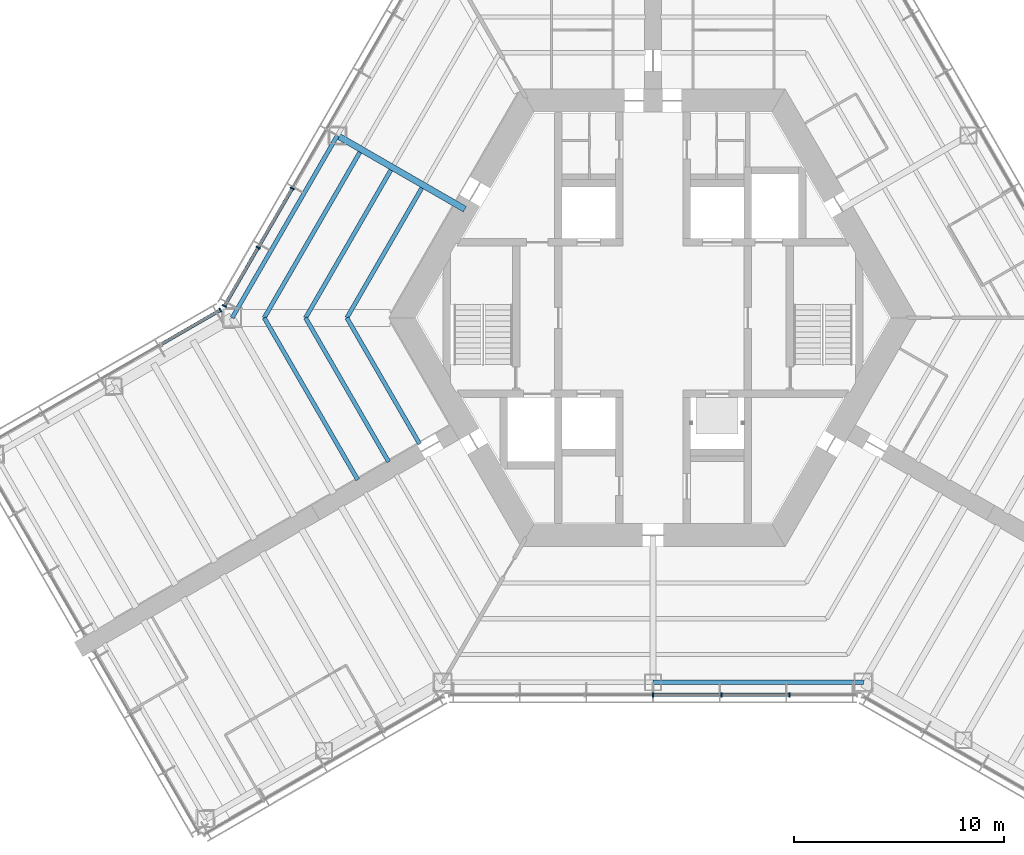
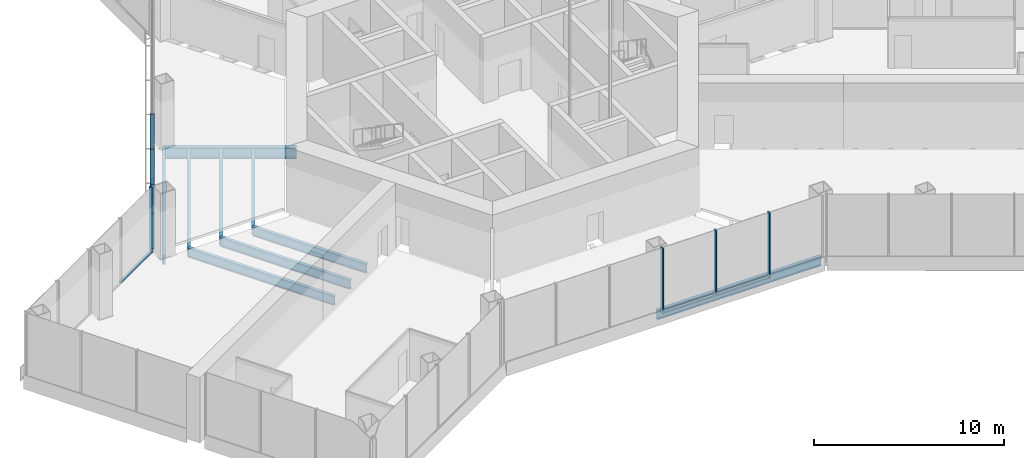
# One storey, part 3 of 18: 12 members, 9 beams, 3 elements without a shape of their own.
"""IFC4 building model written with IfcOpenShell, lengths in metres."""

from ifc_helpers import new_model, si_unit, direction, frame, origin, origin_2d, place, context, subcontext, project, spatial, rectangle, i_section, extrude, material, material_profile, profile_set, type_object, element, aggregate, save


model = new_model("IFC4")

# Units and contexts
model_context = context("Model", 3, precision=1e-05, world=origin(), true_north=direction((0.0, 1.0)))
body_context = subcontext(model_context, "Body", "Model", "MODEL_VIEW")
ifc_project = project(units=[si_unit("LENGTHUNIT", "METRE"), si_unit("AREAUNIT", "SQUARE_METRE"), si_unit("VOLUMEUNIT", "CUBIC_METRE"), si_unit("PLANEANGLEUNIT", "RADIAN"), si_unit("MASSUNIT", "GRAM", prefix="KILO")], contexts=[model_context])

# Site, building, storey
site_placement = place(None, origin())
site = spatial("IfcSite", under=ifc_project, at=site_placement, CompositionType="ELEMENT")
building_placement = place(site_placement, origin())
building = spatial("IfcBuilding", under=site, at=building_placement, Name="Kasaneha Research Tower", CompositionType="ELEMENT")
storey_placement = place(building_placement, frame((0.0, 0.0, 57.0)))
storey = spatial("IfcBuildingStorey", under=building, at=storey_placement, Name="L14", CompositionType="ELEMENT", Elevation=57.0)

# Beams
ifc_material_1 = material(Name="Steel SN490B", Category="steel")
ifc_material_profile_1 = material_profile(ifc_material_1, i_section(OverallWidth=0.199951171875, OverallDepth=0.60009765625, WebThickness=0.010986328125, FlangeThickness=0.01708984375, FilletRadius=0.012939453125, at=origin_2d()), Name="H-600x200x11x17")
ifc_profile_set_1 = profile_set([ifc_material_profile_1], Name="Steel SN490B")
beam_type_1 = type_object("IfcBeamType", Name="B1-4 secondary beam H-600x200x11x17", PredefinedType="JOIST", material=ifc_profile_set_1)
beam_1_placement = place(storey_placement, frame((-14.54931640625, 0.0, -0.469970703125), z_axis=(0.500016104636, 0.866016105569, 0.0), x_axis=(-0.866016105569, 0.500016104636, 0.0)))
element("IfcBeam", 1, at=beam_1_placement, inside=storey, type_object=beam_type_1, Name="Secondary beam RS150R1 L14", PredefinedType="JOIST", context=body_context, shape_type="SweptSolid", body=[
    extrude(i_section(OverallWidth=0.199951171875, OverallDepth=0.60009765625, WebThickness=0.010986328125, FlangeThickness=0.01708984375, FilletRadius=0.012939453125, at=origin_2d()), origin(), (0.0, 0.0, 1.0), 7.124755859375),
])
beam_2_placement = place(storey_placement, frame((-16.51220703125, 0.0, -0.469970703125), z_axis=(0.49999707157, 0.866027094508, 0.0), x_axis=(-0.866027094508, 0.49999707157, 0.0)))
element("IfcBeam", 2, at=beam_2_placement, inside=storey, type_object=beam_type_1, Name="Secondary beam RS150R2 L14", PredefinedType="JOIST", context=body_context, shape_type="SweptSolid", body=[
    extrude(i_section(OverallWidth=0.199951171875, OverallDepth=0.60009765625, WebThickness=0.010986328125, FlangeThickness=0.01708984375, FilletRadius=0.012939453125, at=origin_2d()), origin(), (0.0, 0.0, 1.0), 8.10595703125),
])
beam_3_placement = place(storey_placement, frame((-18.47509765625, 0.0, -0.469970703125), z_axis=(0.499990665392, 0.866030793056, 0.0), x_axis=(-0.866030793056, 0.499990665392, 0.0)))
element("IfcBeam", 3, at=beam_3_placement, inside=storey, type_object=beam_type_1, Name="Secondary beam RS150R3 L14", PredefinedType="JOIST", context=body_context, shape_type="SweptSolid", body=[
    extrude(i_section(OverallWidth=0.199951171875, OverallDepth=0.60009765625, WebThickness=0.010986328125, FlangeThickness=0.01708984375, FilletRadius=0.012939453125, at=origin_2d()), origin(), (0.0, 0.0, 1.0), 9.087646484375),
])
beam_4_placement = place(storey_placement, frame((-14.54931640625, 0.0, -0.469970703125), z_axis=(0.500014420154, -0.866017078145, 0.0), x_axis=(0.866017078145, 0.500014420154, 0.0)))
element("IfcBeam", 4, at=beam_4_placement, inside=storey, type_object=beam_type_1, Name="Secondary beam RS210L1 L14", PredefinedType="JOIST", context=body_context, shape_type="SweptSolid", body=[
    extrude(i_section(OverallWidth=0.199951171875, OverallDepth=0.60009765625, WebThickness=0.010986328125, FlangeThickness=0.01708984375, FilletRadius=0.012939453125, at=origin_2d()), origin(), (0.0, 0.0, 1.0), 6.924560546875),
])
beam_5_placement = place(storey_placement, frame((-16.51220703125, 0.0, -0.469970703125), z_axis=(0.500004902938, -0.866022573054, 0.0), x_axis=(0.866022573054, 0.500004902938, 0.0)))
element("IfcBeam", 5, at=beam_5_placement, inside=storey, type_object=beam_type_1, Name="Secondary beam RS210L2 L14", PredefinedType="JOIST", context=body_context, shape_type="SweptSolid", body=[
    extrude(i_section(OverallWidth=0.199951171875, OverallDepth=0.60009765625, WebThickness=0.010986328125, FlangeThickness=0.01708984375, FilletRadius=0.012939453125, at=origin_2d()), origin(), (0.0, 0.0, 1.0), 7.90625),
])
beam_6_placement = place(storey_placement, frame((-18.47509765625, 0.0, -0.469970703125), z_axis=(0.499988779951, -0.866031881586, 0.0), x_axis=(0.866031881586, 0.499988779951, 0.0)))
element("IfcBeam", 6, at=beam_6_placement, inside=storey, type_object=beam_type_1, Name="Secondary beam RS210L3 L14", PredefinedType="JOIST", context=body_context, shape_type="SweptSolid", body=[
    extrude(i_section(OverallWidth=0.199951171875, OverallDepth=0.60009765625, WebThickness=0.010986328125, FlangeThickness=0.01708984375, FilletRadius=0.012939453125, at=origin_2d()), origin(), (0.0, 0.0, 1.0), 8.887451171875),
])

# Curtain wall, members
ifc_material_2 = material(Name="Glass and aluminium", Category="aluminium")
curtain_wall_type = type_object("IfcCurtainWallType", Name="Sky lobby curtain wall", PredefinedType="USERDEFINED", material=ifc_material_2)
curtain_wall_1_placement = place(storey_placement, origin())
curtain_wall_1 = element("IfcCurtainWall", 7, at=curtain_wall_1_placement, inside=storey, type_object=curtain_wall_type, Name="CW-S L14 run 02a", ObjectType="UNITISED CURTAIN WALL", PredefinedType="USERDEFINED")
ifc_material_3 = material(Name="Aluminium 6063-T6", Category="aluminium")
ifc_material_profile_2 = material_profile(ifc_material_3, rectangle(XDim=0.070068359375, YDim=0.219970703125, at=origin_2d()), Name="CW-S mullion 70x220")
ifc_profile_set_2 = profile_set([ifc_material_profile_2], Name="Aluminium 6063-T6")
member_type_1 = type_object("IfcMemberType", Name="CW-S mullion", PredefinedType="MULLION", material=ifc_profile_set_2)
member_1_placement = place(storey_placement, frame((0.0, -17.92041015625, 0.0), z_axis=(0.0, 0.0, 1.0), x_axis=(1.0, 0.0, 0.0)))
member_1 = element("IfcMember", 8, at=member_1_placement, type_object=member_type_1, Name="CW-S mullion 4", PredefinedType="MULLION", context=body_context, shape_type="SweptSolid", body=[
    extrude(rectangle(XDim=0.070068359375, YDim=0.219970703125, at=origin_2d()), origin(), (0.0, 0.0, 1.0), 4.199951171875),
])
member_2_placement = place(storey_placement, frame((3.246337890625, -17.92041015625, 0.0), z_axis=(0.0, 0.0, 1.0), x_axis=(1.0, 0.0, 0.0)))
member_2 = element("IfcMember", 9, at=member_2_placement, type_object=member_type_1, Name="CW-S mullion 5", PredefinedType="MULLION", context=body_context, shape_type="SweptSolid", body=[
    extrude(rectangle(XDim=0.070068359375, YDim=0.219970703125, at=origin_2d()), origin(), (0.0, 0.0, 1.0), 4.199951171875),
])
member_3_placement = place(storey_placement, frame((6.492919921875, -17.92041015625, 0.0), z_axis=(0.0, 0.0, 1.0), x_axis=(1.0, 0.0, 0.0)))
member_3 = element("IfcMember", 10, at=member_3_placement, type_object=member_type_1, Name="CW-S mullion 6", PredefinedType="MULLION", context=body_context, shape_type="SweptSolid", body=[
    extrude(rectangle(XDim=0.070068359375, YDim=0.219970703125, at=origin_2d()), origin(), (0.0, 0.0, 1.0), 4.199951171875),
])

curtain_wall_2_placement = place(storey_placement, origin())
curtain_wall_2 = element("IfcCurtainWall", 11, at=curtain_wall_2_placement, inside=storey, type_object=curtain_wall_type, Name="CW-S L14 run 12a", ObjectType="UNITISED CURTAIN WALL", PredefinedType="USERDEFINED")
member_4_placement = place(storey_placement, frame((-17.142822265625, 6.148681640625, 0.0), z_axis=(0.0, 0.0, 1.0), x_axis=(-0.49999996188, -0.866025425793, 0.0)))
member_4 = element("IfcMember", 12, at=member_4_placement, type_object=member_type_1, Name="CW-S mullion 5", PredefinedType="MULLION", context=body_context, shape_type="SweptSolid", body=[
    extrude(rectangle(XDim=0.070068359375, YDim=0.219970703125, at=origin_2d()), origin(), (0.0, 0.0, 1.0), 4.199951171875),
])
member_5_placement = place(storey_placement, frame((-18.76611328125, 3.33740234375, 0.0), z_axis=(0.0, 0.0, 1.0), x_axis=(-0.49999996188, -0.866025425793, 0.0)))
member_5 = element("IfcMember", 13, at=member_5_placement, type_object=member_type_1, Name="CW-S mullion 6", PredefinedType="MULLION", context=body_context, shape_type="SweptSolid", body=[
    extrude(rectangle(XDim=0.070068359375, YDim=0.219970703125, at=origin_2d()), origin(), (0.0, 0.0, 1.0), 4.199951171875),
])
member_6_placement = place(storey_placement, frame((-20.371826171875, 0.55615234375, 0.0), z_axis=(0.0, 0.0, 1.0), x_axis=(-0.49999996188, -0.866025425793, 0.0)))
member_6 = element("IfcMember", 14, at=member_6_placement, type_object=member_type_1, Name="CW-S mullion 7", PredefinedType="MULLION", context=body_context, shape_type="SweptSolid", body=[
    extrude(rectangle(XDim=0.070068359375, YDim=0.219970703125, at=origin_2d()), origin(), (0.0, 0.0, 1.0), 4.199951171875),
])

# Curtain wall, member
curtain_wall_3_placement = place(storey_placement, origin())
curtain_wall_3 = element("IfcCurtainWall", 15, at=curtain_wall_3_placement, inside=storey, type_object=curtain_wall_type, Name="CW-S L14 run 13a", ObjectType="UNITISED CURTAIN WALL", PredefinedType="USERDEFINED")
member_7_placement = place(storey_placement, frame((-20.55615234375, 0.371826171875, 0.0), z_axis=(0.0, 0.0, 1.0), x_axis=(-0.866025411464, -0.499999986699, 0.0)))
member_7 = element("IfcMember", 16, at=member_7_placement, type_object=member_type_1, Name="CW-S mullion 1", PredefinedType="MULLION", context=body_context, shape_type="SweptSolid", body=[
    extrude(rectangle(XDim=0.070068359375, YDim=0.219970703125, at=origin_2d()), origin(), (0.0, 0.0, 1.0), 4.199951171875),
])

# Member
ifc_material_4 = material(Name="Aluminium 6063-T6", Category="aluminium")
ifc_material_profile_3 = material_profile(ifc_material_4, rectangle(XDim=0.159912109375, YDim=0.070068359375, at=origin_2d()), Name="CW-S transom 160x70")
ifc_profile_set_3 = profile_set([ifc_material_profile_3], Name="Aluminium 6063-T6")
member_type_2 = type_object("IfcMemberType", Name="CW-S transom", PredefinedType="USERDEFINED", material=ifc_profile_set_3)
member_8_placement = place(storey_placement, frame((0.034912109375, -17.92041015625, 0.034912109375), z_axis=(1.0, 0.0, 0.0), x_axis=(0.0, 1.0, 0.0)))
member_8 = element("IfcMember", 17, at=member_8_placement, type_object=member_type_2, Name="CW-S transom 4", ObjectType="TRANSOM", PredefinedType="USERDEFINED", context=body_context, shape_type="SweptSolid", body=[
    extrude(rectangle(XDim=0.159912109375, YDim=0.070068359375, at=origin_2d()), origin(), (0.0, 0.0, 1.0), 3.176513671875),
])

member_9_placement = place(storey_placement, frame((3.281494140625, -17.92041015625, 0.034912109375), z_axis=(1.0, 0.0, 0.0), x_axis=(0.0, 1.0, 0.0)))
member_9 = element("IfcMember", 18, at=member_9_placement, type_object=member_type_2, Name="CW-S transom 5", ObjectType="TRANSOM", PredefinedType="USERDEFINED", context=body_context, shape_type="SweptSolid", body=[
    extrude(rectangle(XDim=0.159912109375, YDim=0.070068359375, at=origin_2d()), origin(), (0.0, 0.0, 1.0), 3.17626953125),
])

aggregate(curtain_wall_1, [member_1, member_2, member_3, member_8, member_9])

member_10_placement = place(storey_placement, frame((-17.160400390625, 6.118408203125, 0.034912109375), z_axis=(-0.499999683919, -0.866025586274, 0.0), x_axis=(0.866025586274, -0.499999683919, 0.0)))
member_10 = element("IfcMember", 19, at=member_10_placement, type_object=member_type_2, Name="CW-S transom 5", ObjectType="TRANSOM", PredefinedType="USERDEFINED", context=body_context, shape_type="SweptSolid", body=[
    extrude(rectangle(XDim=0.159912109375, YDim=0.070068359375, at=origin_2d()), origin(), (0.0, 0.0, 1.0), 3.17626953125),
])

member_11_placement = place(storey_placement, frame((-18.783447265625, 3.306884765625, 0.034912109375), z_axis=(-0.500034153546, -0.866005684327, 0.0), x_axis=(0.866005684327, -0.500034153546, 0.0)))
member_11 = element("IfcMember", 20, at=member_11_placement, type_object=member_type_2, Name="CW-S transom 6", ObjectType="TRANSOM", PredefinedType="USERDEFINED", context=body_context, shape_type="SweptSolid", body=[
    extrude(rectangle(XDim=0.159912109375, YDim=0.070068359375, at=origin_2d()), origin(), (0.0, 0.0, 1.0), 3.141357421875),
])

aggregate(curtain_wall_2, [member_4, member_5, member_6, member_10, member_11])

member_12_placement = place(storey_placement, frame((-20.58642578125, 0.354248046875, 0.034912109375), z_axis=(-0.866002901518, -0.500038973044, 0.0), x_axis=(0.500038973044, -0.866002901518, 0.0)))
member_12 = element("IfcMember", 21, at=member_12_placement, type_object=member_type_2, Name="CW-S transom 1", ObjectType="TRANSOM", PredefinedType="USERDEFINED", context=body_context, shape_type="SweptSolid", body=[
    extrude(rectangle(XDim=0.159912109375, YDim=0.070068359375, at=origin_2d()), origin(), (0.0, 0.0, 1.0), 3.204833984375),
])

aggregate(curtain_wall_3, [member_7, member_12])

# Beams
ifc_material_5 = material(Name="Steel SN490B", Category="steel")
ifc_material_profile_4 = material_profile(ifc_material_5, i_section(OverallWidth=0.300048828125, OverallDepth=0.69189453125, WebThickness=0.012939453125, FlangeThickness=0.02001953125, FilletRadius=0.01806640625, at=origin_2d()), Name="H-692x300x13x20")
ifc_profile_set_4 = profile_set([ifc_material_profile_4], Name="Steel SN490B")
beam_type_2 = type_object("IfcBeamType", Name="G2-4 radial girder H-692x300x13x20", PredefinedType="BEAM", material=ifc_profile_set_4)
beam_7_placement = place(storey_placement, frame((-8.941650390625, 5.16259765625, -0.51611328125), z_axis=(-0.866039713508, 0.499975214012, 0.0), x_axis=(-0.499975214012, -0.866039713508, 0.0)))
element("IfcBeam", 22, at=beam_7_placement, inside=storey, type_object=beam_type_2, Name="Radial girder RM150 L14", PredefinedType="BEAM", context=body_context, shape_type="SweptSolid", body=[
    extrude(i_section(OverallWidth=0.300048828125, OverallDepth=0.69189453125, WebThickness=0.012939453125, FlangeThickness=0.02001953125, FilletRadius=0.01806640625, at=origin_2d()), origin(), (0.0, 0.0, 1.0), 6.995361328125),
])
ifc_material_6 = material(Name="Steel SN490B", Category="steel")
ifc_material_profile_5 = material_profile(ifc_material_6, i_section(OverallWidth=0.198974609375, OverallDepth=0.595947265625, WebThickness=0.010009765625, FlangeThickness=0.014892578125, FilletRadius=0.012939453125, at=origin_2d()), Name="H-596x199x10x15")
ifc_profile_set_5 = profile_set([ifc_material_profile_5], Name="Steel SN490B")
beam_type_3 = type_object("IfcBeamType", Name="SB1-4 spandrel beam H-596x199x10x15", PredefinedType="SPANDREL", material=ifc_profile_set_5)
for number, where, z_axis, x_axis, name in (
    (23, (-20.0, 0.0, -0.468017578125), (0.500004234368, 0.866022959057, 0.0), (-0.866022959057, 0.500004234368, 0.0), "Spandrel beam SR150R L14"),
    (24, (10.0, -17.320556640625, -0.468017578125), (-1.0, 0.0, 0.0), (0.0, -1.0, 0.0), "Spandrel beam SR270R L14"),
):
    element("IfcBeam", number, at=place(storey_placement, frame(where, z_axis=z_axis, x_axis=x_axis)), inside=storey, type_object=beam_type_3, Name=name, PredefinedType="SPANDREL", context=body_context, shape_type="SweptSolid", body=[
        extrude(i_section(OverallWidth=0.198974609375, OverallDepth=0.595947265625, WebThickness=0.010009765625, FlangeThickness=0.014892578125, FilletRadius=0.012939453125, at=origin_2d()), origin(), (0.0, 0.0, 1.0), 10.0),
    ])

save(model, "model.ifc")
